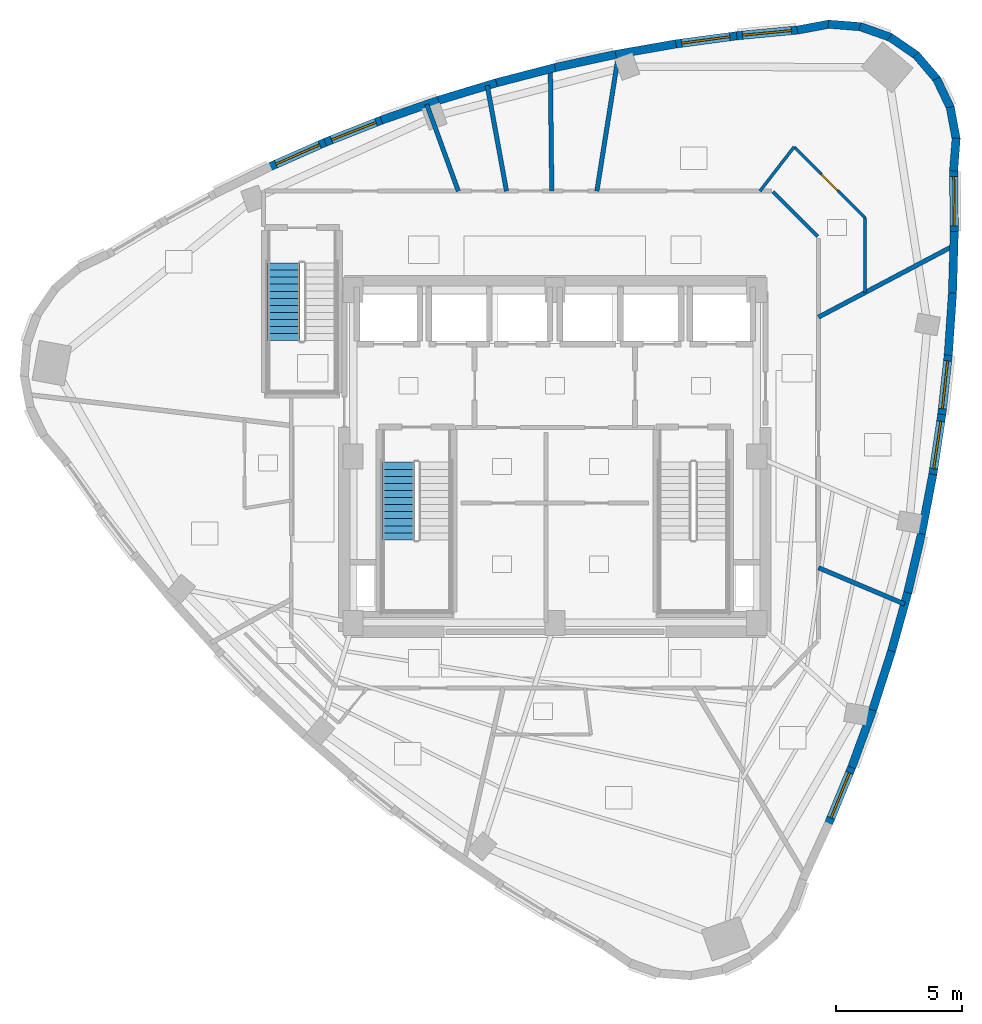
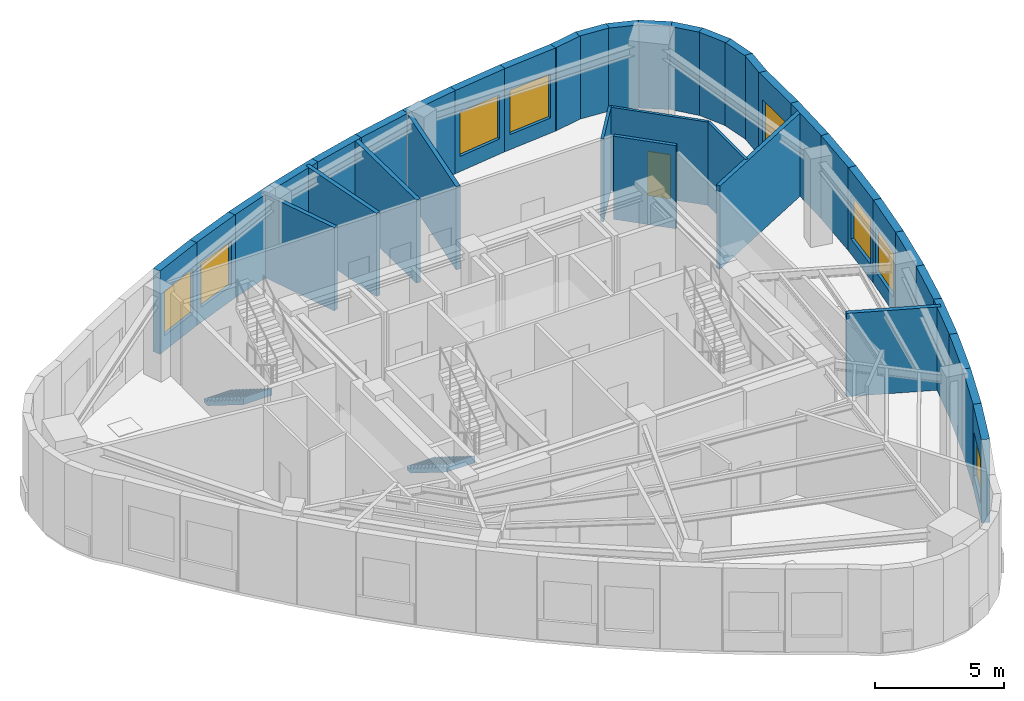
# One storey, part 5 of 9: 38 walls, 8 windows, 2 stair flights, 1 door, 9 openings, 2 elements without a shape of their own.
"""IFC4 building model written with IfcOpenShell, lengths in metres."""

from ifc_helpers import new_model, si_unit, direction, frame, frame_2d, origin, place, context, subcontext, project, spatial, polyline, rectangle, outline, extrude, material, layer, layer_set, type_object, element, fill, aggregate, save


model = new_model("IFC4")

# Units and contexts
model_context = context("Model", 3, precision=1e-05, world=origin(), true_north=direction((0.0, 1.0)))
body_context = subcontext(model_context, "Body", "Model", "MODEL_VIEW")
ifc_project = project(units=[si_unit("LENGTHUNIT", "METRE"), si_unit("AREAUNIT", "SQUARE_METRE"), si_unit("VOLUMEUNIT", "CUBIC_METRE"), si_unit("PLANEANGLEUNIT", "RADIAN"), si_unit("MASSUNIT", "GRAM", prefix="KILO")], contexts=[model_context])

# Site, building, storey
site_placement = place(None, origin())
site = spatial("IfcSite", under=ifc_project, at=site_placement, CompositionType="ELEMENT")
building_placement = place(site_placement, origin())
building = spatial("IfcBuilding", under=site, at=building_placement, Name="Ndelora Gate Hotel", CompositionType="ELEMENT")
storey_placement = place(building_placement, frame((0.0, 0.0, 264.39990234375)))
storey = spatial("IfcBuildingStorey", under=building, at=storey_placement, Name="L66", CompositionType="ELEMENT", Elevation=264.39990234375)

# Walls
ifc_material_1 = material(Name="Acoustic Double-Stud Gypsum Assembly", Category="gypsum")
ifc_layer_1 = layer(ifc_material_1, 0.179931640625)
ifc_layer_set_1 = layer_set([ifc_layer_1], Name="Acoustic Double-Stud Gypsum Assembly")
wall_type_1 = type_object("IfcWallType", Name="WL-ACOUST-180", PredefinedType="PARTITIONING", material=ifc_layer_set_1)
wall_1_placement = place(storey_placement, frame((-3.8291015625, 10.52001953125, 0.0), z_axis=(0.0, 0.0, 1.0), x_axis=(-0.342010906499, 0.939695982664, 0.0)))
element("IfcWall", 1, at=wall_1_placement, inside=storey, type_object=wall_type_1, Name="L66 Interior Wall IW-3", PredefinedType="PARTITIONING", context=body_context, shape_type="SweptSolid", body=[
    extrude(rectangle(XDim=3.6591796875, YDim=0.179931640625, at=frame_2d((1.82958984375, 0.0))), origin(), (0.0, 0.0, 1.0), 3.9501953125),
])
wall_2_placement = place(storey_placement, frame((10.449951171875, -4.4111328125, 0.0), z_axis=(0.0, 0.0, 1.0), x_axis=(0.921276821657, -0.388907466986, 0.0)))
element("IfcWall", 2, at=wall_2_placement, inside=storey, type_object=wall_type_1, Name="L66 Interior Wall IW-3", PredefinedType="PARTITIONING", context=body_context, shape_type="SweptSolid", body=[
    extrude(rectangle(XDim=3.708251953125, YDim=0.179931640625, at=frame_2d((1.85400390625, 0.0))), origin(), (0.0, 0.0, 1.0), 3.9501953125),
])
wall_3_placement = place(storey_placement, frame((10.449951171875, 5.52197265625, 0.0), z_axis=(0.0, 0.0, 1.0), x_axis=(0.884168007164, 0.467169064802, 0.0)))
element("IfcWall", 3, at=wall_3_placement, inside=storey, type_object=wall_type_1, Name="L66 Interior Wall IW-3", PredefinedType="PARTITIONING", context=body_context, shape_type="SweptSolid", body=[
    extrude(rectangle(XDim=6.072998046875, YDim=0.179931640625, at=frame_2d((3.03662109375, 0.0))), origin(), (0.0, 0.0, 1.0), 3.9501953125),
])
wall_4_placement = place(storey_placement, frame((1.664794921875, 10.52001953125, 0.0), z_axis=(0.0, 0.0, 1.0), x_axis=(0.156335854485, 0.987703953927, 0.0)))
element("IfcWall", 4, at=wall_4_placement, inside=storey, type_object=wall_type_1, Name="L66 Interior Wall IW-3", PredefinedType="PARTITIONING", context=body_context, shape_type="SweptSolid", body=[
    extrude(rectangle(XDim=5.5078125, YDim=0.179931640625, at=frame_2d((2.75390625, 0.0))), origin(), (0.0, 0.0, 1.0), 3.9501953125),
])
wall_5_placement = place(storey_placement, frame((-0.123291015625, 10.52001953125, 0.0), z_axis=(0.0, 0.0, 1.0), x_axis=(-0.011724824318, 0.999931261885, 0.0)))
element("IfcWall", 5, at=wall_5_placement, inside=storey, type_object=wall_type_1, Name="L66 Interior Wall IW-3", PredefinedType="PARTITIONING", context=body_context, shape_type="SweptSolid", body=[
    extrude(rectangle(XDim=4.8515625, YDim=0.179931640625, at=frame_2d((2.42578125, 0.0))), origin(), (0.0, 0.0, 1.0), 3.9501953125),
])
wall_6_placement = place(storey_placement, frame((-1.918701171875, 10.52001953125, 0.0), z_axis=(0.0, 0.0, 1.0), x_axis=(-0.179349915037, 0.983785346494, 0.0)))
element("IfcWall", 6, at=wall_6_placement, inside=storey, type_object=wall_type_1, Name="L66 Interior Wall IW-3", PredefinedType="PARTITIONING", context=body_context, shape_type="SweptSolid", body=[
    extrude(rectangle(XDim=4.25537109375, YDim=0.179931640625, at=frame_2d((2.127685546875, 0.0))), origin(), (0.0, 0.0, 1.0), 3.9501953125),
])

# Wall, opening, window
ifc_material_2 = material(Name="Clay Brick Masonry", Category="masonry")
ifc_layer_2 = layer(ifc_material_2, 0.330078125)
ifc_layer_set_2 = layer_set([ifc_layer_2], Name="Clay Brick Masonry")
wall_type_2 = type_object("IfcWallType", Name="WL-BRICK-330", PredefinedType="SOLIDWALL", material=ifc_layer_set_2)
wall_7_placement = place(storey_placement, frame((11.785888671875, -12.28515625, 0.0), z_axis=(0.0, 0.0, 1.0), x_axis=(-0.380073332614, -0.92495635672, 0.0)))
wall_7 = element("IfcWall", 7, at=wall_7_placement, inside=storey, type_object=wall_type_2, Name="L66 Tower Brick Pier-and-Spandrel Wall TWR-30", PredefinedType="SOLIDWALL", context=body_context, shape_type="SweptSolid", body=[
    extrude(rectangle(XDim=2.4873046875, YDim=0.330078125, at=frame_2d((1.24365234375, 0.0))), origin(), (0.0, 0.0, 1.0), 3.9501953125),
])
opening_1_placement = place(wall_7_placement, frame((0.278564453125, 0.0, 0.719970703125)))
opening_1 = element("IfcOpeningElement", 8, at=opening_1_placement, cuts=wall_7, Name="Opening W08", PredefinedType="OPENING", context=body_context, shape_type="SweptSolid", body=[
    extrude(rectangle(XDim=1.929931640625, YDim=2.10009765625, at=frame_2d((0.96484375, 1.050048828125))), frame((0.0, 0.175048828125, 0.0), z_axis=(0.0, -1.0, 0.0), x_axis=(1.0, 0.0, 0.0)), (0.0, 0.0, 1.0), 0.35009765625),
])
ifc_material_3 = material(Name="Insulated Low-E Double Glazing in Bronze Aluminium Frame", Category="aluminium")
window_type = type_object("IfcWindowType", Name="WN-PENT-2250", PartitioningType="SINGLE_PANEL", PredefinedType="WINDOW", material=ifc_material_3)
window_1_placement = place(opening_1_placement, origin())
window_1 = element("IfcWindow", 9, at=window_1_placement, inside=storey, type_object=window_type, Name="L66 Deep-Set Brick-Pier Window W08", OverallHeight=2.10009765625, OverallWidth=1.929931640625, PartitioningType="SINGLE_PANEL", PredefinedType="WINDOW", context=body_context, shape_type="SweptSolid", body=[
    extrude(rectangle(XDim=1.929931640625, YDim=2.10009765625, at=frame_2d((0.96484375, 1.050048828125))), frame((0.0, 0.030029296875, 0.0), z_axis=(0.0, -1.0, 0.0), x_axis=(1.0, 0.0, 0.0)), (0.0, 0.0, 1.0), 0.06005859375),
])
fill(opening_1, window_1)

# Walls
wall_8_placement = place(storey_placement, frame((12.616455078125, -10.010009765625, 0.0), z_axis=(0.0, 0.0, 1.0), x_axis=(-0.343296836241, -0.939226959913, 0.0)))
element("IfcWall", 10, at=wall_8_placement, inside=storey, type_object=wall_type_2, Name="L66 Tower Brick Pier-and-Spandrel Wall TWR-31", PredefinedType="SOLIDWALL", context=body_context, shape_type="SweptSolid", body=[
    extrude(rectangle(XDim=2.471923828125, YDim=0.330078125, at=frame_2d((1.23583984375, 0.0))), origin(), (0.0, 0.0, 1.0), 3.9501953125),
])
wall_9_placement = place(storey_placement, frame((13.3515625, -7.715087890625, 0.0), z_axis=(0.0, 0.0, 1.0), x_axis=(-0.305488679376, -0.952195708231, 0.0)))
element("IfcWall", 11, at=wall_9_placement, inside=storey, type_object=wall_type_2, Name="L66 Tower Brick Pier-and-Spandrel Wall TWR-32", PredefinedType="SOLIDWALL", context=body_context, shape_type="SweptSolid", body=[
    extrude(rectangle(XDim=2.4599609375, YDim=0.330078125, at=frame_2d((1.22998046875, 0.0))), origin(), (0.0, 0.0, 1.0), 3.9501953125),
])
wall_10_placement = place(storey_placement, frame((13.991943359375, -5.39990234375, 0.0), z_axis=(0.0, 0.0, 1.0), x_axis=(-0.266940258734, -0.963713078809, 0.0)))
element("IfcWall", 12, at=wall_10_placement, inside=storey, type_object=wall_type_2, Name="L66 Tower Brick Pier-and-Spandrel Wall TWR-33", PredefinedType="SOLIDWALL", context=body_context, shape_type="SweptSolid", body=[
    extrude(rectangle(XDim=2.451904296875, YDim=0.330078125, at=frame_2d((1.22607421875, 0.0))), origin(), (0.0, 0.0, 1.0), 3.9501953125),
])
wall_11_placement = place(storey_placement, frame((14.536865234375, -3.064453125, 0.0), z_axis=(0.0, 0.0, 1.0), x_axis=(-0.227677260712, -0.97373665072, 0.0)))
element("IfcWall", 13, at=wall_11_placement, inside=storey, type_object=wall_type_2, Name="L66 Tower Brick Pier-and-Spandrel Wall TWR-34", PredefinedType="SOLIDWALL", context=body_context, shape_type="SweptSolid", body=[
    extrude(rectangle(XDim=2.447998046875, YDim=0.330078125, at=frame_2d((1.22412109375, 0.0))), origin(), (0.0, 0.0, 1.0), 3.9501953125),
])
wall_12_placement = place(storey_placement, frame((14.98681640625, -0.708740234375, 0.0), z_axis=(0.0, 0.0, 1.0), x_axis=(-0.187978120827, -0.98217321593, 0.0)))
element("IfcWall", 14, at=wall_12_placement, inside=storey, type_object=wall_type_2, Name="L66 Tower Brick Pier-and-Spandrel Wall TWR-35", PredefinedType="SOLIDWALL", context=body_context, shape_type="SweptSolid", body=[
    extrude(rectangle(XDim=2.4482421875, YDim=0.330078125, at=frame_2d((1.22412109375, 0.0))), origin(), (0.0, 0.0, 1.0), 3.9501953125),
])

# Wall, opening, window
wall_13_placement = place(storey_placement, frame((15.341796875, 1.6669921875, 0.0), z_axis=(0.0, 0.0, 1.0), x_axis=(-0.148150573485, -0.988964816147, 0.0)))
wall_13 = element("IfcWall", 15, at=wall_13_placement, inside=storey, type_object=wall_type_2, Name="L66 Tower Brick Pier-and-Spandrel Wall TWR-36", PredefinedType="SOLIDWALL", context=body_context, shape_type="SweptSolid", body=[
    extrude(rectangle(XDim=2.4521484375, YDim=0.330078125, at=frame_2d((1.22607421875, 0.0))), origin(), (0.0, 0.0, 1.0), 3.9501953125),
])
opening_2_placement = place(wall_13_placement, frame((0.281005859375, 0.0, 0.719970703125)))
opening_2 = element("IfcOpeningElement", 16, at=opening_2_placement, cuts=wall_13, Name="Opening W08", PredefinedType="OPENING", context=body_context, shape_type="SweptSolid", body=[
    extrude(rectangle(XDim=1.889892578125, YDim=2.10009765625, at=frame_2d((0.94482421875, 1.050048828125))), frame((0.0, 0.175048828125, 0.0), z_axis=(0.0, -1.0, 0.0), x_axis=(1.0, 0.0, 0.0)), (0.0, 0.0, 1.0), 0.35009765625),
])
window_2_placement = place(opening_2_placement, origin())
window_2 = element("IfcWindow", 17, at=window_2_placement, inside=storey, type_object=window_type, Name="L66 Deep-Set Brick-Pier Window W08", OverallHeight=2.10009765625, OverallWidth=1.889892578125, PartitioningType="SINGLE_PANEL", PredefinedType="WINDOW", context=body_context, shape_type="SweptSolid", body=[
    extrude(rectangle(XDim=1.889892578125, YDim=2.10009765625, at=frame_2d((0.94482421875, 1.050048828125))), frame((0.0, 0.030029296875, 0.0), z_axis=(0.0, -1.0, 0.0), x_axis=(1.0, 0.0, 0.0)), (0.0, 0.0, 1.0), 0.06005859375),
])
fill(opening_2, window_2)

wall_14_placement = place(storey_placement, frame((15.6015625, 4.06298828125, 0.0), z_axis=(0.0, 0.0, 1.0), x_axis=(-0.108274537778, -0.994121031097, 0.0)))
wall_14 = element("IfcWall", 18, at=wall_14_placement, inside=storey, type_object=wall_type_2, Name="L66 Tower Brick Pier-and-Spandrel Wall TWR-37", PredefinedType="SOLIDWALL", context=body_context, shape_type="SweptSolid", body=[
    extrude(rectangle(XDim=2.4599609375, YDim=0.330078125, at=frame_2d((1.22998046875, 0.0))), origin(), (0.0, 0.0, 1.0), 3.9501953125),
])
opening_3_placement = place(wall_14_placement, frame((0.280029296875, 0.0, 0.719970703125)))
opening_3 = element("IfcOpeningElement", 19, at=opening_3_placement, cuts=wall_14, Name="Opening W08", PredefinedType="OPENING", context=body_context, shape_type="SweptSolid", body=[
    extrude(rectangle(XDim=1.89990234375, YDim=2.10009765625, at=frame_2d((0.949951171875, 1.050048828125))), frame((0.0, 0.175048828125, 0.0), z_axis=(0.0, -1.0, 0.0), x_axis=(1.0, 0.0, 0.0)), (0.0, 0.0, 1.0), 0.35009765625),
])
window_3_placement = place(opening_3_placement, origin())
window_3 = element("IfcWindow", 20, at=window_3_placement, inside=storey, type_object=window_type, Name="L66 Deep-Set Brick-Pier Window W08", OverallHeight=2.10009765625, OverallWidth=1.89990234375, PartitioningType="SINGLE_PANEL", PredefinedType="WINDOW", context=body_context, shape_type="SweptSolid", body=[
    extrude(rectangle(XDim=1.89990234375, YDim=2.10009765625, at=frame_2d((0.949951171875, 1.050048828125))), frame((0.0, 0.030029296875, 0.0), z_axis=(0.0, -1.0, 0.0), x_axis=(1.0, 0.0, 0.0)), (0.0, 0.0, 1.0), 0.06005859375),
])
fill(opening_3, window_3)

# Walls
wall_15_placement = place(storey_placement, frame((15.76611328125, 6.47900390625, 0.0), z_axis=(0.0, 0.0, 1.0), x_axis=(-0.068354601344, -0.997661088985, 0.0)))
element("IfcWall", 21, at=wall_15_placement, inside=storey, type_object=wall_type_2, Name="L66 Tower Brick Pier-and-Spandrel Wall TWR-38", PredefinedType="SOLIDWALL", context=body_context, shape_type="SweptSolid", body=[
    extrude(rectangle(XDim=2.4716796875, YDim=0.330078125, at=frame_2d((1.23583984375, 0.0))), origin(), (0.0, 0.0, 1.0), 3.9501953125),
])
wall_16_placement = place(storey_placement, frame((15.835693359375, 8.91552734375, 0.0), z_axis=(0.0, 0.0, 1.0), x_axis=(-0.028856791584, -0.999583556077, 0.0)))
element("IfcWall", 22, at=wall_16_placement, inside=storey, type_object=wall_type_2, Name="L66 Tower Brick Pier-and-Spandrel Wall TWR-39", PredefinedType="SOLIDWALL", context=body_context, shape_type="SweptSolid", body=[
    extrude(rectangle(XDim=2.4873046875, YDim=0.330078125, at=frame_2d((1.24365234375, 0.0))), origin(), (0.0, 0.0, 1.0), 3.9501953125),
])

# Wall, opening, window
wall_17_placement = place(storey_placement, frame((15.810302734375, 11.371826171875, 0.0), z_axis=(0.0, 0.0, 1.0), x_axis=(0.009935219729, -0.999950644486, 0.0)))
wall_17 = element("IfcWall", 23, at=wall_17_placement, inside=storey, type_object=wall_type_2, Name="L66 Tower Brick Pier-and-Spandrel Wall TWR-40", PredefinedType="SOLIDWALL", context=body_context, shape_type="SweptSolid", body=[
    extrude(rectangle(XDim=2.506591796875, YDim=0.330078125, at=frame_2d((1.25341796875, 0.0))), origin(), (0.0, 0.0, 1.0), 3.9501953125),
])
opening_4_placement = place(wall_17_placement, frame((0.2783203125, 0.0, 0.719970703125)))
opening_4 = element("IfcOpeningElement", 24, at=opening_4_placement, cuts=wall_17, Name="Opening W08", PredefinedType="OPENING", context=body_context, shape_type="SweptSolid", body=[
    extrude(rectangle(XDim=1.949951171875, YDim=2.10009765625, at=frame_2d((0.97509765625, 1.050048828125))), frame((0.0, 0.175048828125, 0.0), z_axis=(0.0, -1.0, 0.0), x_axis=(1.0, 0.0, 0.0)), (0.0, 0.0, 1.0), 0.35009765625),
])
window_4_placement = place(opening_4_placement, origin())
window_4 = element("IfcWindow", 25, at=window_4_placement, inside=storey, type_object=window_type, Name="L66 Deep-Set Brick-Pier Window W08", OverallHeight=2.10009765625, OverallWidth=1.949951171875, PartitioningType="SINGLE_PANEL", PredefinedType="WINDOW", context=body_context, shape_type="SweptSolid", body=[
    extrude(rectangle(XDim=1.949951171875, YDim=2.10009765625, at=frame_2d((0.97509765625, 1.050048828125))), frame((0.0, 0.030029296875, 0.0), z_axis=(0.0, -1.0, 0.0), x_axis=(1.0, 0.0, 0.0)), (0.0, 0.0, 1.0), 0.06005859375),
])
fill(opening_4, window_4)

# Walls
for number, where, z_axis, x_axis, name in (
    (26, (15.910888671875, 12.62109375, 0.0), (0.0, 0.0, 1.0), (-0.078501590144, -0.996913988439, 0.0), "L66 Tower Brick Pier-and-Spandrel Wall TWR-41"),
    (27, (15.67578125, 13.852783203125, 0.0), (0.0, 0.0, 1.0), (0.182297236005, -0.983243468193, 0.0), "L66 Tower Brick Pier-and-Spandrel Wall TWR-42"),
    (28, (15.130126953125, 14.981689453125, 0.0), (0.0, 0.0, 1.0), (0.430726118159, -0.902482692984, 0.0), "L66 Tower Brick Pier-and-Spandrel Wall TWR-43"),
    (29, (14.31103515625, 15.930908203125, 0.0), (0.0, 0.0, 1.0), (0.649463279453, -0.760392956728, 0.0), "L66 Tower Brick Pier-and-Spandrel Wall TWR-44"),
):
    element("IfcWall", number, at=place(storey_placement, frame(where, z_axis=z_axis, x_axis=x_axis)), inside=storey, type_object=wall_type_2, Name=name, PredefinedType="SOLIDWALL", context=body_context, shape_type="SweptSolid", body=[
        extrude(rectangle(XDim=1.302978515625, YDim=0.330078125, at=frame_2d((0.6513671875, 0.0))), origin(), (0.0, 0.0, 1.0), 3.9501953125),
    ])
wall_18_placement = place(storey_placement, frame((13.27392578125, 16.635986328125, 0.0), z_axis=(0.0, 0.0, 1.0), x_axis=(0.824069252703, -0.566489070283, 0.0)))
element("IfcWall", 30, at=wall_18_placement, inside=storey, type_object=wall_type_2, Name="L66 Tower Brick Pier-and-Spandrel Wall TWR-45", PredefinedType="SOLIDWALL", context=body_context, shape_type="SweptSolid", body=[
    extrude(rectangle(XDim=1.30322265625, YDim=0.330078125, at=frame_2d((0.651611328125, 0.0))), origin(), (0.0, 0.0, 1.0), 3.9501953125),
])
wall_19_placement = place(storey_placement, frame((12.08984375, 17.04833984375, 0.0), z_axis=(0.0, 0.0, 1.0), x_axis=(0.942616169371, -0.333878356951, 0.0)))
element("IfcWall", 31, at=wall_19_placement, inside=storey, type_object=wall_type_2, Name="L66 Tower Brick Pier-and-Spandrel Wall TWR-46", PredefinedType="SOLIDWALL", context=body_context, shape_type="SweptSolid", body=[
    extrude(rectangle(XDim=1.302978515625, YDim=0.330078125, at=frame_2d((0.6513671875, 0.0))), origin(), (0.0, 0.0, 1.0), 3.9501953125),
])
wall_20_placement = place(storey_placement, frame((10.83935546875, 17.140380859375, 0.0), z_axis=(0.0, 0.0, 1.0), x_axis=(0.996912833542, -0.078516255123, 0.0)))
element("IfcWall", 32, at=wall_20_placement, inside=storey, type_object=wall_type_2, Name="L66 Tower Brick Pier-and-Spandrel Wall TWR-47", PredefinedType="SOLIDWALL", context=body_context, shape_type="SweptSolid", body=[
    extrude(rectangle(XDim=1.302734375, YDim=0.330078125, at=frame_2d((0.6513671875, 0.0))), origin(), (0.0, 0.0, 1.0), 3.9501953125),
])
wall_21_placement = place(storey_placement, frame((9.607421875, 16.905517578125, 0.0), z_axis=(0.0, 0.0, 1.0), x_axis=(0.983283247188, 0.182082552156, 0.0)))
element("IfcWall", 33, at=wall_21_placement, inside=storey, type_object=wall_type_2, Name="L66 Tower Brick Pier-and-Spandrel Wall TWR-48", PredefinedType="SOLIDWALL", context=body_context, shape_type="SweptSolid", body=[
    extrude(rectangle(XDim=1.30322265625, YDim=0.330078125, at=frame_2d((0.651611328125, 0.0))), origin(), (0.0, 0.0, 1.0), 3.9501953125),
])

# Wall, opening, window
wall_22_placement = place(storey_placement, frame((7.16162109375, 16.67529296875, 0.0), z_axis=(0.0, 0.0, 1.0), x_axis=(0.995517770217, 0.094574675167, 0.0)))
wall_22 = element("IfcWall", 34, at=wall_22_placement, inside=storey, type_object=wall_type_2, Name="L66 Tower Brick Pier-and-Spandrel Wall TWR-49", PredefinedType="SOLIDWALL", context=body_context, shape_type="SweptSolid", body=[
    extrude(rectangle(XDim=2.506591796875, YDim=0.330078125, at=frame_2d((1.25341796875, 0.0))), origin(), (0.0, 0.0, 1.0), 3.9501953125),
])
opening_5_placement = place(wall_22_placement, frame((0.2783203125, 0.0, 0.719970703125)))
opening_5 = element("IfcOpeningElement", 35, at=opening_5_placement, cuts=wall_22, Name="Opening W08", PredefinedType="OPENING", context=body_context, shape_type="SweptSolid", body=[
    extrude(rectangle(XDim=1.949951171875, YDim=2.10009765625, at=frame_2d((0.97509765625, 1.050048828125))), frame((0.0, 0.175048828125, 0.0), z_axis=(0.0, -1.0, 0.0), x_axis=(1.0, 0.0, 0.0)), (0.0, 0.0, 1.0), 0.35009765625),
])
window_5_placement = place(opening_5_placement, origin())
window_5 = element("IfcWindow", 36, at=window_5_placement, inside=storey, type_object=window_type, Name="L66 Deep-Set Brick-Pier Window W08", OverallHeight=2.10009765625, OverallWidth=1.949951171875, PartitioningType="SINGLE_PANEL", PredefinedType="WINDOW", context=body_context, shape_type="SweptSolid", body=[
    extrude(rectangle(XDim=1.949951171875, YDim=2.10009765625, at=frame_2d((0.97509765625, 1.050048828125))), frame((0.0, 0.030029296875, 0.0), z_axis=(0.0, -1.0, 0.0), x_axis=(1.0, 0.0, 0.0)), (0.0, 0.0, 1.0), 0.06005859375),
])
fill(opening_5, window_5)

wall_23_placement = place(storey_placement, frame((4.74609375, 16.349609375, 0.0), z_axis=(0.0, 0.0, 1.0), x_axis=(0.991089340553, 0.1331987952, 0.0)))
wall_23 = element("IfcWall", 37, at=wall_23_placement, inside=storey, type_object=wall_type_2, Name="L66 Tower Brick Pier-and-Spandrel Wall TWR-50", PredefinedType="SOLIDWALL", context=body_context, shape_type="SweptSolid", body=[
    extrude(rectangle(XDim=2.4873046875, YDim=0.330078125, at=frame_2d((1.24365234375, 0.0))), origin(), (0.0, 0.0, 1.0), 3.9501953125),
])
opening_6_placement = place(wall_23_placement, frame((0.278564453125, 0.0, 0.719970703125)))
opening_6 = element("IfcOpeningElement", 38, at=opening_6_placement, cuts=wall_23, Name="Opening W08", PredefinedType="OPENING", context=body_context, shape_type="SweptSolid", body=[
    extrude(rectangle(XDim=1.929931640625, YDim=2.10009765625, at=frame_2d((0.96484375, 1.050048828125))), frame((0.0, 0.175048828125, 0.0), z_axis=(0.0, -1.0, 0.0), x_axis=(1.0, 0.0, 0.0)), (0.0, 0.0, 1.0), 0.35009765625),
])
window_6_placement = place(opening_6_placement, origin())
window_6 = element("IfcWindow", 39, at=window_6_placement, inside=storey, type_object=window_type, Name="L66 Deep-Set Brick-Pier Window W08", OverallHeight=2.10009765625, OverallWidth=1.929931640625, PartitioningType="SINGLE_PANEL", PredefinedType="WINDOW", context=body_context, shape_type="SweptSolid", body=[
    extrude(rectangle(XDim=1.929931640625, YDim=2.10009765625, at=frame_2d((0.96484375, 1.050048828125))), frame((0.0, 0.030029296875, 0.0), z_axis=(0.0, -1.0, 0.0), x_axis=(1.0, 0.0, 0.0)), (0.0, 0.0, 1.0), 0.06005859375),
])
fill(opening_6, window_6)

# Walls
wall_24_placement = place(storey_placement, frame((2.36083984375, 15.93115234375, 0.0), z_axis=(0.0, 0.0, 1.0), x_axis=(0.985035078874, 0.172353977001, 0.0)))
element("IfcWall", 40, at=wall_24_placement, inside=storey, type_object=wall_type_2, Name="L66 Tower Brick Pier-and-Spandrel Wall TWR-51", PredefinedType="SOLIDWALL", context=body_context, shape_type="SweptSolid", body=[
    extrude(rectangle(XDim=2.471923828125, YDim=0.330078125, at=frame_2d((1.23583984375, 0.0))), origin(), (0.0, 0.0, 1.0), 3.9501953125),
])
wall_25_placement = place(storey_placement, frame((0.005615234375, 15.42041015625, 0.0), z_axis=(0.0, 0.0, 1.0), x_axis=(0.977358726748, 0.211589033857, 0.0)))
element("IfcWall", 41, at=wall_25_placement, inside=storey, type_object=wall_type_2, Name="L66 Tower Brick Pier-and-Spandrel Wall TWR-52", PredefinedType="SOLIDWALL", context=body_context, shape_type="SweptSolid", body=[
    extrude(rectangle(XDim=2.4599609375, YDim=0.330078125, at=frame_2d((1.22998046875, 0.0))), origin(), (0.0, 0.0, 1.0), 3.9501953125),
])
wall_26_placement = place(storey_placement, frame((-2.319580078125, 14.817138671875, 0.0), z_axis=(0.0, 0.0, 1.0), x_axis=(0.968064050208, 0.250703000969, 0.0)))
element("IfcWall", 42, at=wall_26_placement, inside=storey, type_object=wall_type_2, Name="L66 Tower Brick Pier-and-Spandrel Wall TWR-53", PredefinedType="SOLIDWALL", context=body_context, shape_type="SweptSolid", body=[
    extrude(rectangle(XDim=2.4521484375, YDim=0.330078125, at=frame_2d((1.22607421875, 0.0))), origin(), (0.0, 0.0, 1.0), 3.9501953125),
])
for number, where, z_axis, x_axis, name in (
    (43, (-4.614501953125, 14.12158203125, 0.0), (0.0, 0.0, 1.0), (0.957140082528, 0.289625382897, 0.0), "L66 Tower Brick Pier-and-Spandrel Wall TWR-54"),
    (44, (-6.879638671875, 13.33349609375, 0.0), (0.0, 0.0, 1.0), (0.944608408798, 0.328199564332, 0.0), "L66 Tower Brick Pier-and-Spandrel Wall TWR-55"),
):
    element("IfcWall", number, at=place(storey_placement, frame(where, z_axis=z_axis, x_axis=x_axis)), inside=storey, type_object=wall_type_2, Name=name, PredefinedType="SOLIDWALL", context=body_context, shape_type="SweptSolid", body=[
        extrude(rectangle(XDim=2.447998046875, YDim=0.330078125, at=frame_2d((1.22412109375, 0.0))), origin(), (0.0, 0.0, 1.0), 3.9501953125),
    ])

# Wall, opening, window
wall_27_placement = place(storey_placement, frame((-9.114501953125, 12.452880859375, 0.0), z_axis=(0.0, 0.0, 1.0), x_axis=(0.930535919143, 0.366200632421, 0.0)))
wall_27 = element("IfcWall", 45, at=wall_27_placement, inside=storey, type_object=wall_type_2, Name="L66 Tower Brick Pier-and-Spandrel Wall TWR-56", PredefinedType="SOLIDWALL", context=body_context, shape_type="SweptSolid", body=[
    extrude(rectangle(XDim=2.4521484375, YDim=0.330078125, at=frame_2d((1.22607421875, 0.0))), origin(), (0.0, 0.0, 1.0), 3.9501953125),
])
opening_7_placement = place(wall_27_placement, frame((0.281005859375, 0.0, 0.719970703125)))
opening_7 = element("IfcOpeningElement", 46, at=opening_7_placement, cuts=wall_27, Name="Opening W08", PredefinedType="OPENING", context=body_context, shape_type="SweptSolid", body=[
    extrude(rectangle(XDim=1.889892578125, YDim=2.10009765625, at=frame_2d((0.94482421875, 1.050048828125))), frame((0.0, 0.175048828125, 0.0), z_axis=(0.0, -1.0, 0.0), x_axis=(1.0, 0.0, 0.0)), (0.0, 0.0, 1.0), 0.35009765625),
])
window_7_placement = place(opening_7_placement, origin())
window_7 = element("IfcWindow", 47, at=window_7_placement, inside=storey, type_object=window_type, Name="L66 Deep-Set Brick-Pier Window W08", OverallHeight=2.10009765625, OverallWidth=1.889892578125, PartitioningType="SINGLE_PANEL", PredefinedType="WINDOW", context=body_context, shape_type="SweptSolid", body=[
    extrude(rectangle(XDim=1.889892578125, YDim=2.10009765625, at=frame_2d((0.94482421875, 1.050048828125))), frame((0.0, 0.030029296875, 0.0), z_axis=(0.0, -1.0, 0.0), x_axis=(1.0, 0.0, 0.0)), (0.0, 0.0, 1.0), 0.06005859375),
])
fill(opening_7, window_7)

wall_28_placement = place(storey_placement, frame((-11.3193359375, 11.479736328125, 0.0), z_axis=(0.0, 0.0, 1.0), x_axis=(0.915014789788, 0.403420295064, 0.0)))
wall_28 = element("IfcWall", 48, at=wall_28_placement, inside=storey, type_object=wall_type_2, Name="L66 Tower Brick Pier-and-Spandrel Wall TWR-57", PredefinedType="SOLIDWALL", context=body_context, shape_type="SweptSolid", body=[
    extrude(rectangle(XDim=2.4599609375, YDim=0.330078125, at=frame_2d((1.22998046875, 0.0))), origin(), (0.0, 0.0, 1.0), 3.9501953125),
])
opening_8_placement = place(wall_28_placement, frame((0.280029296875, 0.0, 0.719970703125)))
opening_8 = element("IfcOpeningElement", 49, at=opening_8_placement, cuts=wall_28, Name="Opening W08", PredefinedType="OPENING", context=body_context, shape_type="SweptSolid", body=[
    extrude(rectangle(XDim=1.89990234375, YDim=2.10009765625, at=frame_2d((0.949951171875, 1.050048828125))), frame((0.0, 0.175048828125, 0.0), z_axis=(0.0, -1.0, 0.0), x_axis=(1.0, 0.0, 0.0)), (0.0, 0.0, 1.0), 0.35009765625),
])
window_8_placement = place(opening_8_placement, origin())
window_8 = element("IfcWindow", 50, at=window_8_placement, inside=storey, type_object=window_type, Name="L66 Deep-Set Brick-Pier Window W08", OverallHeight=2.10009765625, OverallWidth=1.89990234375, PartitioningType="SINGLE_PANEL", PredefinedType="WINDOW", context=body_context, shape_type="SweptSolid", body=[
    extrude(rectangle(XDim=1.89990234375, YDim=2.10009765625, at=frame_2d((0.949951171875, 1.050048828125))), frame((0.0, 0.030029296875, 0.0), z_axis=(0.0, -1.0, 0.0), x_axis=(1.0, 0.0, 0.0)), (0.0, 0.0, 1.0), 0.06005859375),
])
fill(opening_8, window_8)

# Walls
ifc_material_4 = material(Name="Fire-Rated Gypsum Stud Partition", Category="gypsum")
ifc_layer_3 = layer(ifc_material_4, 0.14990234375)
ifc_layer_set_3 = layer_set([ifc_layer_3], Name="Fire-Rated Gypsum Stud Partition")
wall_type_3 = type_object("IfcWallType", Name="WL-PART-150", PredefinedType="PARTITIONING", material=ifc_layer_set_3)
wall_29_placement = place(storey_placement, frame((8.648193359375, 10.49169921875, 0.0), z_axis=(0.0, 0.0, 1.0), x_axis=(0.707106781187, -0.707106781187, 0.0)))
element("IfcWall", 51, at=wall_29_placement, inside=storey, type_object=wall_type_3, Name="L66 Interior Wall IW-5", PredefinedType="PARTITIONING", context=body_context, shape_type="SweptSolid", body=[
    extrude(rectangle(XDim=2.508056640625, YDim=0.14990234375, at=frame_2d((1.25390625, 0.0))), origin(), (0.0, 0.0, 1.0), 3.9501953125),
])
ifc_material_5 = material(Name="Moisture-Resistant Bathroom Tile Partition", Category="gypsum")
ifc_layer_4 = layer(ifc_material_5, 0.1201171875)
ifc_layer_set_4 = layer_set([ifc_layer_4], Name="Moisture-Resistant Bathroom Tile Partition")
wall_type_4 = type_object("IfcWallType", Name="WL-WET-120", PredefinedType="PARTITIONING", material=ifc_layer_set_4)
wall_30_placement = place(storey_placement, frame((8.1298828125, 10.52001953125, 0.0), z_axis=(0.0, 0.0, 1.0), x_axis=(0.611456914518, 0.79127772728, 0.0)))
element("IfcWall", 52, at=wall_30_placement, inside=storey, type_object=wall_type_4, Name="L66 Interior Wall IW-7", PredefinedType="PARTITIONING", context=body_context, shape_type="SweptSolid", body=[
    extrude(rectangle(XDim=2.21435546875, YDim=0.1201171875, at=frame_2d((1.107177734375, 0.0))), origin(), (0.0, 0.0, 1.0), 3.9501953125),
])

# Wall, opening, door
wall_31_placement = place(storey_placement, frame((9.48388671875, 12.272216796875, 0.0), z_axis=(0.0, 0.0, 1.0), x_axis=(0.70713743234, -0.707076128705, 0.0)))
wall_31 = element("IfcWall", 53, at=wall_31_placement, inside=storey, type_object=wall_type_4, Name="L66 Interior Wall IW-7", PredefinedType="PARTITIONING", context=body_context, shape_type="SweptSolid", body=[
    extrude(rectangle(XDim=3.982421875, YDim=0.1201171875, at=frame_2d((1.9912109375, 0.0))), origin(), (0.0, 0.0, 1.0), 3.9501953125),
])
opening_9_placement = place(wall_31_placement, frame((1.53125, 0.0, 0.0)))
opening_9 = element("IfcOpeningElement", 54, at=opening_9_placement, cuts=wall_31, Name="Opening D03", PredefinedType="OPENING", context=body_context, shape_type="SweptSolid", body=[
    extrude(rectangle(XDim=0.919921875, YDim=2.10009765625, at=frame_2d((0.4599609375, 1.050048828125))), frame((0.0, 0.070068359375, 0.0), z_axis=(0.0, -1.0, 0.0), x_axis=(1.0, 0.0, 0.0)), (0.0, 0.0, 1.0), 0.14013671875),
])
ifc_material_6 = material(Name="Moisture-Resistant Hardwood En-Suite Door", Category="wood")
door_type = type_object("IfcDoorType", Name="DR-BATH-920", OperationType="SINGLE_SWING_LEFT", PredefinedType="DOOR", material=ifc_material_6)
door_placement = place(opening_9_placement, origin())
door = element("IfcDoor", 55, at=door_placement, inside=storey, type_object=door_type, Name="L66 En-suite Bathroom 6904 Door", OperationType="SINGLE_SWING_LEFT", OverallHeight=2.10009765625, OverallWidth=0.919921875, PredefinedType="DOOR", context=body_context, shape_type="SweptSolid", body=[
    extrude(rectangle(XDim=0.919921875, YDim=2.10009765625, at=frame_2d((0.4599609375, 1.050048828125))), frame((0.0, 0.02490234375, 0.0), z_axis=(0.0, -1.0, 0.0), x_axis=(1.0, 0.0, 0.0)), (0.0, 0.0, 1.0), 0.050048828125),
])
fill(opening_9, door)

# Wall
wall_32_placement = place(storey_placement, frame((12.300048828125, 6.49951171875, 0.0), z_axis=(0.0, 0.0, 1.0), x_axis=(0.0, 1.0, 0.0)))
element("IfcWall", 56, at=wall_32_placement, inside=storey, type_object=wall_type_4, Name="L66 Interior Wall IW-7", PredefinedType="PARTITIONING", context=body_context, shape_type="SweptSolid", body=[
    extrude(rectangle(XDim=2.956787109375, YDim=0.1201171875, at=frame_2d((1.478515625, 0.0))), origin(), (0.0, 0.0, 1.0), 3.9501953125),
])

# Stair, stair flight
ifc_material_7 = material(Name="Precast concrete C40/50", Category="concrete")
stair_type = type_object("IfcStairType", Name="STR-DOG-CORE", PredefinedType="HALF_TURN_STAIR", material=ifc_material_7)
stair_1_placement = place(storey_placement, origin())
stair_1 = element("IfcStair", 57, at=stair_1_placement, inside=storey, type_object=stair_type, Name="L66 Protected Core Exit Stair ST4", PredefinedType="HALF_TURN_STAIR")
stair_flight_type = type_object("IfcStairFlightType", Name="STF-PRECAST", PredefinedType="STRAIGHT", material=ifc_material_7)
stair_flight_1_placement = place(storey_placement, frame((-6.2099609375, -0.22998046875, 0.0), z_axis=(0.0, 0.0, 1.0), x_axis=(0.0, -1.0, 0.0)))
stair_flight_1 = element("IfcStairFlight", 58, at=stair_flight_1_placement, type_object=stair_flight_type, Name="ST4 flight 1", NumberOfRisers=12, NumberOfTreads=11, PredefinedType="STRAIGHT", RiserHeight=0.175, TreadLength=0.28, context=body_context, shape_type="SweptSolid", body=[
    extrude(outline(polyline([(-0.00048828125, 0.0), (-0.00048828125, 0.175048828125), (0.0, 0.175048828125), (0.280029296875, 0.175048828125), (0.280029296875, 0.35009765625), (0.56005859375, 0.35009765625), (0.56005859375, 0.52490234375), (0.840087890625, 0.52490234375), (0.840087890625, 0.699951171875), (1.1201171875, 0.699951171875), (1.1201171875, 0.875), (1.39990234375, 0.875), (1.39990234375, 1.050048828125), (1.679931640625, 1.050048828125), (1.679931640625, 1.22509765625), (1.9599609375, 1.22509765625), (1.9599609375, 1.39990234375), (2.239990234375, 1.39990234375), (2.239990234375, 1.574951171875), (2.52001953125, 1.574951171875), (2.52001953125, 1.75), (2.800048828125, 1.75), (2.800048828125, 1.925048828125), (3.080078125, 1.925048828125), (3.080078125, 2.10009765625), (3.08056640625, 2.10009765625), (3.08056640625, 1.919921875), (3.080078125, 1.748291015625), (0.28271484375, 0.0), (-0.00048828125, 0.0)])), frame((0.0, 0.64013671875, 0.0), z_axis=(0.0, -1.0, 0.0), x_axis=(1.0, 0.0, 0.0)), (0.0, 0.0, 1.0), 1.280029296875),
])
aggregate(stair_1, [stair_flight_1])

stair_2_placement = place(storey_placement, origin())
stair_2 = element("IfcStair", 59, at=stair_2_placement, inside=storey, type_object=stair_type, Name="L66 Crown Observation Exit Stair ST6", PredefinedType="HALF_TURN_STAIR")
stair_flight_2_placement = place(storey_placement, frame((-10.75, 7.669921875, 0.0), z_axis=(0.0, 0.0, 1.0), x_axis=(0.0, -1.0, 0.0)))
stair_flight_2 = element("IfcStairFlight", 60, at=stair_flight_2_placement, type_object=stair_flight_type, Name="ST6 flight 1", NumberOfRisers=12, NumberOfTreads=11, PredefinedType="STRAIGHT", RiserHeight=0.175, TreadLength=0.28, context=body_context, shape_type="SweptSolid", body=[
    extrude(outline(polyline([(-0.00048828125, 0.0), (-0.00048828125, 0.175048828125), (0.0, 0.175048828125), (0.280029296875, 0.175048828125), (0.280029296875, 0.35009765625), (0.56005859375, 0.35009765625), (0.56005859375, 0.52490234375), (0.840087890625, 0.52490234375), (0.840087890625, 0.699951171875), (1.1201171875, 0.699951171875), (1.1201171875, 0.875), (1.39990234375, 0.875), (1.39990234375, 1.050048828125), (1.679931640625, 1.050048828125), (1.679931640625, 1.22509765625), (1.9599609375, 1.22509765625), (1.9599609375, 1.39990234375), (2.239990234375, 1.39990234375), (2.239990234375, 1.574951171875), (2.52001953125, 1.574951171875), (2.52001953125, 1.75), (2.800048828125, 1.75), (2.800048828125, 1.925048828125), (3.080078125, 1.925048828125), (3.080078125, 2.10009765625), (3.08056640625, 2.10009765625), (3.08056640625, 1.919921875), (3.080078125, 1.748291015625), (0.28271484375, 0.0), (-0.00048828125, 0.0)])), frame((0.0, 0.64013671875, 0.0), z_axis=(0.0, -1.0, 0.0), x_axis=(1.0, 0.0, 0.0)), (0.0, 0.0, 1.0), 1.280029296875),
])
aggregate(stair_2, [stair_flight_2])

save(model, "model.ifc")
